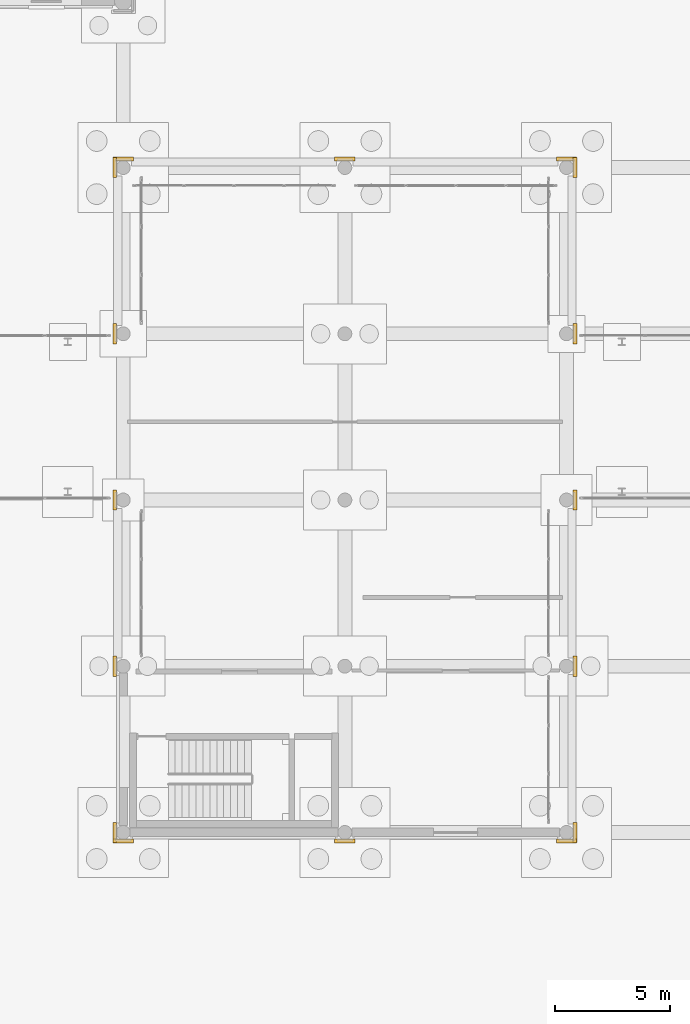
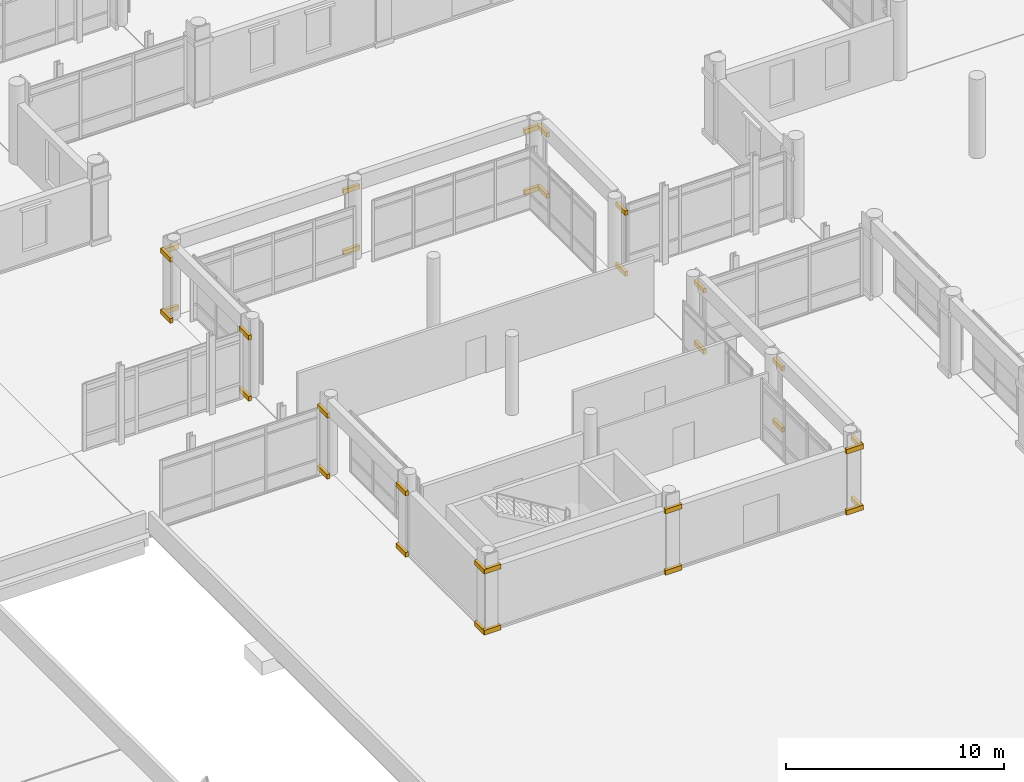
# One storey, part 195 of 196: 32 coverings.
"""IFC4 building model written with IfcOpenShell, lengths in metres."""

from ifc_helpers import new_model, si_unit, direction, frame, origin, origin_2d, place, context, subcontext, project, spatial, rectangle, extrude, material, layer, layer_set, type_object, element, save


model = new_model("IFC4")

# Units and contexts
model_context = context("Model", 3, precision=1e-05, world=origin(), true_north=direction((0.0, 1.0)))
body_context = subcontext(model_context, "Body", "Model", "MODEL_VIEW")
ifc_project = project(units=[si_unit("LENGTHUNIT", "METRE"), si_unit("AREAUNIT", "SQUARE_METRE"), si_unit("VOLUMEUNIT", "CUBIC_METRE"), si_unit("PLANEANGLEUNIT", "RADIAN"), si_unit("MASSUNIT", "GRAM", prefix="KILO")], contexts=[model_context])

# Site, building, storey
site_placement = place(None, origin())
site = spatial("IfcSite", under=ifc_project, at=site_placement, CompositionType="ELEMENT")
building_placement = place(site_placement, origin())
building = spatial("IfcBuilding", under=site, at=building_placement, Name="Asteropetra Specialist Clinic", CompositionType="ELEMENT")
storey_placement = place(building_placement, origin())
storey = spatial("IfcBuildingStorey", under=building, at=storey_placement, Name="L00", CompositionType="ELEMENT", Elevation=0.0)

# Coverings
ifc_material = material(Name="Pentelic marble ashlar", Category="masonry")
ifc_layer = layer(ifc_material, 0.159912109375)
ifc_layer_set = layer_set([ifc_layer], Name="Pentelic marble ashlar")
covering_type = type_object("IfcCoveringType", Name="CRN-ENTAB-600", PredefinedType="MOLDING", material=ifc_layer_set)
for number, where, z_axis, x_axis, name in (
    (1, (76.800048828125, 33.22802734375, 0.009765625), (0.0, 0.0, 1.0), (1.0, 0.0, 0.0), "Doric Base CC-0380"),
    (2, (76.800048828125, 33.22802734375, 3.43017578125), (0.0, 0.0, 1.0), (1.0, 0.0, 0.0), "Doric Capital CC-0381"),
):
    element("IfcCovering", number, at=place(storey_placement, frame(where, z_axis=z_axis, x_axis=x_axis)), inside=storey, type_object=covering_type, Name=name, PredefinedType="MOLDING", context=body_context, shape_type="SweptSolid", body=[
        extrude(rectangle(XDim=0.8798828125, YDim=0.159912109375, at=origin_2d()), origin(), (0.0, 0.0, 1.0), 0.260009765625),
    ])
for number, where, z_axis, x_axis, name in (
    (3, (76.427978515625, 33.60009765625, 0.009765625), (0.0, 0.0, 1.0), (1.0, 0.0, 0.0), "Doric Base CC-0383"),
    (4, (76.427978515625, 33.60009765625, 3.43017578125), (0.0, 0.0, 1.0), (1.0, 0.0, 0.0), "Doric Capital CC-0384"),
    (5, (76.427978515625, 40.800048828125, 0.009765625), (0.0, 0.0, 1.0), (1.0, 0.0, 0.0), "Doric Base CC-0386"),
    (6, (76.427978515625, 40.800048828125, 3.43017578125), (0.0, 0.0, 1.0), (1.0, 0.0, 0.0), "Doric Capital CC-0387"),
    (7, (76.427978515625, 48.0, 0.009765625), (0.0, 0.0, 1.0), (1.0, 0.0, 0.0), "Doric Base CC-0389"),
    (8, (76.427978515625, 48.0, 3.43017578125), (0.0, 0.0, 1.0), (1.0, 0.0, 0.0), "Doric Capital CC-0390"),
    (9, (76.427978515625, 55.199951171875, 0.009765625), (0.0, 0.0, 1.0), (1.0, 0.0, 0.0), "Doric Base CC-0392"),
    (10, (76.427978515625, 55.199951171875, 3.43017578125), (0.0, 0.0, 1.0), (1.0, 0.0, 0.0), "Doric Capital CC-0393"),
):
    element("IfcCovering", number, at=place(storey_placement, frame(where, z_axis=z_axis, x_axis=x_axis)), inside=storey, type_object=covering_type, Name=name, PredefinedType="MOLDING", context=body_context, shape_type="SweptSolid", body=[
        extrude(rectangle(XDim=0.159912109375, YDim=0.8798828125, at=origin_2d()), origin(), (0.0, 0.0, 1.0), 0.260009765625),
    ])
for number, where, z_axis, x_axis, name in (
    (11, (76.800048828125, 62.77197265625, 0.009765625), (0.0, 0.0, 1.0), (1.0, 0.0, 0.0), "Doric Base CC-0395"),
    (12, (76.800048828125, 62.77197265625, 3.43017578125), (0.0, 0.0, 1.0), (1.0, 0.0, 0.0), "Doric Capital CC-0396"),
):
    element("IfcCovering", number, at=place(storey_placement, frame(where, z_axis=z_axis, x_axis=x_axis)), inside=storey, type_object=covering_type, Name=name, PredefinedType="MOLDING", context=body_context, shape_type="SweptSolid", body=[
        extrude(rectangle(XDim=0.8798828125, YDim=0.159912109375, at=origin_2d()), origin(), (0.0, 0.0, 1.0), 0.260009765625),
    ])
for number, where, z_axis, x_axis, name in (
    (13, (76.427978515625, 62.39990234375, 0.009765625), (0.0, 0.0, 1.0), (1.0, 0.0, 0.0), "Doric Base CC-0398"),
    (14, (76.427978515625, 62.39990234375, 3.43017578125), (0.0, 0.0, 1.0), (1.0, 0.0, 0.0), "Doric Capital CC-0399"),
):
    element("IfcCovering", number, at=place(storey_placement, frame(where, z_axis=z_axis, x_axis=x_axis)), inside=storey, type_object=covering_type, Name=name, PredefinedType="MOLDING", context=body_context, shape_type="SweptSolid", body=[
        extrude(rectangle(XDim=0.159912109375, YDim=0.8798828125, at=origin_2d()), origin(), (0.0, 0.0, 1.0), 0.260009765625),
    ])
for number, where, z_axis, x_axis, name in (
    (15, (86.39990234375, 33.22802734375, 0.009765625), (0.0, 0.0, 1.0), (1.0, 0.0, 0.0), "Doric Base CC-0401"),
    (16, (86.39990234375, 33.22802734375, 3.43017578125), (0.0, 0.0, 1.0), (1.0, 0.0, 0.0), "Doric Capital CC-0402"),
    (17, (86.39990234375, 62.77197265625, 0.009765625), (0.0, 0.0, 1.0), (1.0, 0.0, 0.0), "Doric Base CC-0404"),
    (18, (86.39990234375, 62.77197265625, 3.43017578125), (0.0, 0.0, 1.0), (1.0, 0.0, 0.0), "Doric Capital CC-0405"),
    (19, (96.0, 33.22802734375, 0.009765625), (0.0, 0.0, 1.0), (1.0, 0.0, 0.0), "Doric Base CC-0407"),
    (20, (96.0, 33.22802734375, 3.43017578125), (0.0, 0.0, 1.0), (1.0, 0.0, 0.0), "Doric Capital CC-0408"),
):
    element("IfcCovering", number, at=place(storey_placement, frame(where, z_axis=z_axis, x_axis=x_axis)), inside=storey, type_object=covering_type, Name=name, PredefinedType="MOLDING", context=body_context, shape_type="SweptSolid", body=[
        extrude(rectangle(XDim=0.8798828125, YDim=0.159912109375, at=origin_2d()), origin(), (0.0, 0.0, 1.0), 0.260009765625),
    ])
for number, where, z_axis, x_axis, name in (
    (21, (96.3720703125, 33.60009765625, 0.009765625), (0.0, 0.0, 1.0), (1.0, 0.0, 0.0), "Doric Base CC-0410"),
    (22, (96.3720703125, 33.60009765625, 3.43017578125), (0.0, 0.0, 1.0), (1.0, 0.0, 0.0), "Doric Capital CC-0411"),
    (23, (96.3720703125, 40.800048828125, 0.009765625), (0.0, 0.0, 1.0), (1.0, 0.0, 0.0), "Doric Base CC-0413"),
    (24, (96.3720703125, 40.800048828125, 3.43017578125), (0.0, 0.0, 1.0), (1.0, 0.0, 0.0), "Doric Capital CC-0414"),
    (25, (96.3720703125, 48.0, 0.009765625), (0.0, 0.0, 1.0), (1.0, 0.0, 0.0), "Doric Base CC-0416"),
    (26, (96.3720703125, 48.0, 3.43017578125), (0.0, 0.0, 1.0), (1.0, 0.0, 0.0), "Doric Capital CC-0417"),
    (27, (96.3720703125, 55.199951171875, 0.009765625), (0.0, 0.0, 1.0), (1.0, 0.0, 0.0), "Doric Base CC-0419"),
    (28, (96.3720703125, 55.199951171875, 3.43017578125), (0.0, 0.0, 1.0), (1.0, 0.0, 0.0), "Doric Capital CC-0420"),
):
    element("IfcCovering", number, at=place(storey_placement, frame(where, z_axis=z_axis, x_axis=x_axis)), inside=storey, type_object=covering_type, Name=name, PredefinedType="MOLDING", context=body_context, shape_type="SweptSolid", body=[
        extrude(rectangle(XDim=0.159912109375, YDim=0.8798828125, at=origin_2d()), origin(), (0.0, 0.0, 1.0), 0.260009765625),
    ])
for number, where, z_axis, x_axis, name in (
    (29, (96.0, 62.77197265625, 0.009765625), (0.0, 0.0, 1.0), (1.0, 0.0, 0.0), "Doric Base CC-0422"),
    (30, (96.0, 62.77197265625, 3.43017578125), (0.0, 0.0, 1.0), (1.0, 0.0, 0.0), "Doric Capital CC-0423"),
):
    element("IfcCovering", number, at=place(storey_placement, frame(where, z_axis=z_axis, x_axis=x_axis)), inside=storey, type_object=covering_type, Name=name, PredefinedType="MOLDING", context=body_context, shape_type="SweptSolid", body=[
        extrude(rectangle(XDim=0.8798828125, YDim=0.159912109375, at=origin_2d()), origin(), (0.0, 0.0, 1.0), 0.260009765625),
    ])
for number, where, z_axis, x_axis, name in (
    (31, (96.3720703125, 62.39990234375, 0.009765625), (0.0, 0.0, 1.0), (1.0, 0.0, 0.0), "Doric Base CC-0425"),
    (32, (96.3720703125, 62.39990234375, 3.43017578125), (0.0, 0.0, 1.0), (1.0, 0.0, 0.0), "Doric Capital CC-0426"),
):
    element("IfcCovering", number, at=place(storey_placement, frame(where, z_axis=z_axis, x_axis=x_axis)), inside=storey, type_object=covering_type, Name=name, PredefinedType="MOLDING", context=body_context, shape_type="SweptSolid", body=[
        extrude(rectangle(XDim=0.159912109375, YDim=0.8798828125, at=origin_2d()), origin(), (0.0, 0.0, 1.0), 0.260009765625),
    ])

save(model, "model.ifc")
